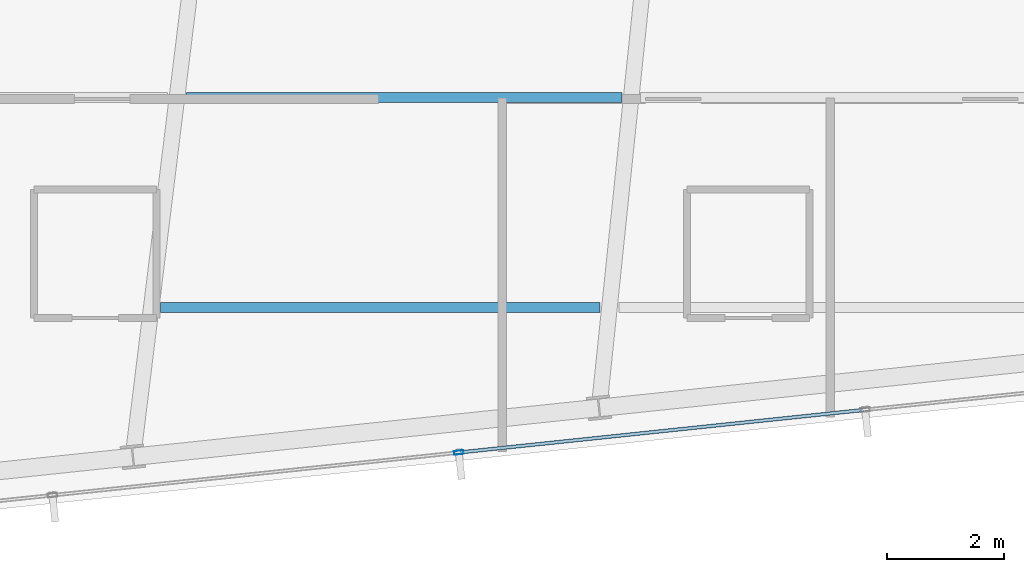
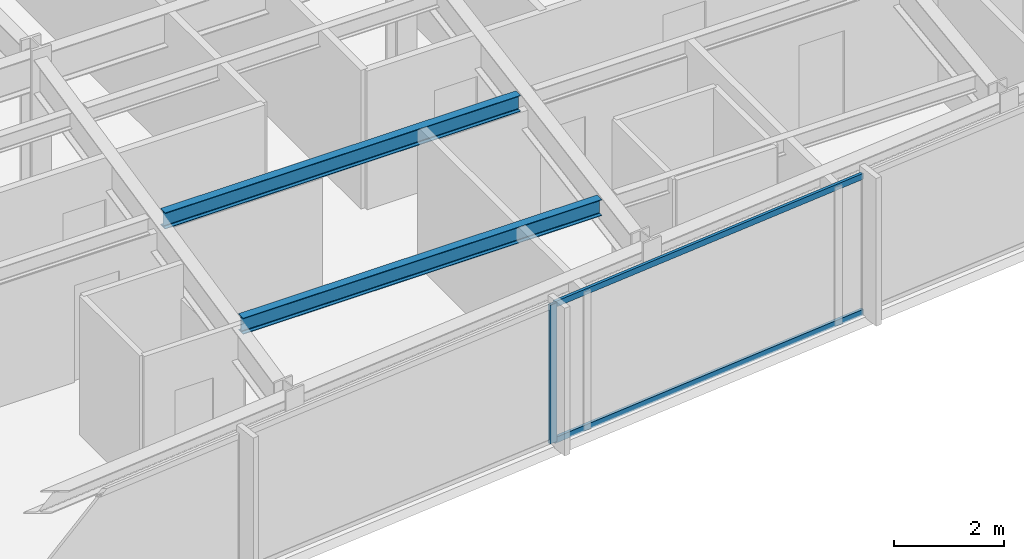
# One storey, part 7 of 32: 3 members, 2 beams, 1 element without a shape of its own.
"""IFC4 building model written with IfcOpenShell, lengths in metres."""

from ifc_helpers import new_model, si_unit, direction, frame, origin, origin_2d, place, context, subcontext, project, spatial, hollow_rectangle, i_section, extrude, material, material_profile, profile_set, type_object, element, aggregate, save


model = new_model("IFC4")

# Units and contexts
model_context = context("Model", 3, precision=1e-05, world=origin(), true_north=direction((0.0, 1.0)))
body_context = subcontext(model_context, "Body", "Model", "MODEL_VIEW")
ifc_project = project(units=[si_unit("LENGTHUNIT", "METRE"), si_unit("AREAUNIT", "SQUARE_METRE"), si_unit("VOLUMEUNIT", "CUBIC_METRE"), si_unit("PLANEANGLEUNIT", "RADIAN"), si_unit("MASSUNIT", "GRAM", prefix="KILO")], contexts=[model_context])

# Site, building, storey
site_placement = place(None, origin())
site = spatial("IfcSite", under=ifc_project, at=site_placement, CompositionType="ELEMENT")
building_placement = place(site_placement, origin())
building = spatial("IfcBuilding", under=site, at=building_placement, Name="Yelkora Congress Tower", CompositionType="ELEMENT")
storey_placement = place(building_placement, frame((0.0, 0.0, 211.10009765625)))
storey = spatial("IfcBuildingStorey", under=building, at=storey_placement, Name="L58", CompositionType="ELEMENT", Elevation=211.10009765625)

# Beams
ifc_material_1 = material(Name="Steel S355J2", Category="steel")
ifc_material_profile_1 = material_profile(ifc_material_1, i_section(OverallWidth=0.169921875, OverallDepth=0.360107421875, WebThickness=0.008056640625, FlangeThickness=0.0126953125, FilletRadius=0.01806640625, at=origin_2d()), Name="IPE 360")
ifc_profile_set_1 = profile_set([ifc_material_profile_1], Name="Steel S355J2")
beam_type = type_object("IfcBeamType", Name="BM-JOIST-IPE360", PredefinedType="JOIST", material=ifc_profile_set_1)
beam_1_placement = place(storey_placement, frame((29.76220703125, 16.07861328125, 2.89990234375), z_axis=(1.0, 0.0, 0.0), x_axis=(0.0, 1.0, 0.0)))
element("IfcBeam", 1, at=beam_1_placement, inside=storey, type_object=beam_type, Name="L58 Composite Floor Joist 1", PredefinedType="JOIST", context=body_context, shape_type="SweptSolid", body=[
    extrude(i_section(OverallWidth=0.169921875, OverallDepth=0.360107421875, WebThickness=0.008056640625, FlangeThickness=0.0126953125, FilletRadius=0.01806640625, at=origin_2d()), origin(), (0.0, 0.0, 1.0), 7.53369140625),
])
beam_2_placement = place(storey_placement, frame((30.203369140625, 19.678466796875, 2.89990234375), z_axis=(1.0, 0.0, 0.0), x_axis=(0.0, 1.0, 0.0)))
element("IfcBeam", 2, at=beam_2_placement, inside=storey, type_object=beam_type, Name="L58 Composite Floor Joist 4", PredefinedType="JOIST", context=body_context, shape_type="SweptSolid", body=[
    extrude(i_section(OverallWidth=0.169921875, OverallDepth=0.360107421875, WebThickness=0.008056640625, FlangeThickness=0.0126953125, FilletRadius=0.01806640625, at=origin_2d()), origin(), (0.0, 0.0, 1.0), 7.465087890625),
])

# Curtain wall, members
ifc_material_2 = material(Name="Anodised aluminium and insulated glass", Category="aluminium")
curtain_wall_type = type_object("IfcCurtainWallType", Name="CW-SYS-B4", PredefinedType="NOTDEFINED", material=ifc_material_2)
curtain_wall_placement = place(storey_placement, origin())
curtain_wall = element("IfcCurtainWall", 3, at=curtain_wall_placement, inside=storey, type_object=curtain_wall_type, Name="L58 Unitised Curtain Wall 20", PredefinedType="NOTDEFINED")
ifc_material_3 = material(Name="Anodised aluminium 6063-T6", Category="aluminium")
ifc_material_profile_2 = material_profile(ifc_material_3, hollow_rectangle(XDim=0.06494140625, YDim=0.159912109375, WallThickness=0.00390625, at=origin_2d()), Name="ALU 65x160x4")
ifc_profile_set_2 = profile_set([ifc_material_profile_2], Name="Anodised aluminium 6063-T6")
member_type_1 = type_object("IfcMemberType", Name="MEM-ML-B4", PredefinedType="MULLION", material=ifc_profile_set_2)
member_1_placement = place(storey_placement, frame((34.87353515625, 13.592529296875, 0.0), z_axis=(0.0, 0.0, 1.0), x_axis=(0.104526664994, -0.994522084373, 0.0)))
member_1 = element("IfcMember", 4, at=member_1_placement, type_object=member_type_1, Name="CW-B4 mullion 6", PredefinedType="MULLION", context=body_context, shape_type="SweptSolid", body=[
    extrude(hollow_rectangle(XDim=0.06494140625, YDim=0.159912109375, WallThickness=0.00390625, at=origin_2d()), origin(), (0.0, 0.0, 1.0), 3.079833984375),
])
ifc_material_profile_3 = material_profile(ifc_material_3, hollow_rectangle(XDim=0.06005859375, YDim=0.1298828125, WallThickness=0.00390625, at=origin_2d()), Name="ALU 60x130x4")
ifc_profile_set_3 = profile_set([ifc_material_profile_3], Name="Anodised aluminium 6063-T6")
member_type_2 = type_object("IfcMemberType", Name="MEM-TR-B4", PredefinedType="USERDEFINED", material=ifc_profile_set_3)
member_2_placement = place(storey_placement, frame((41.8056640625, 14.321044921875, 0.02978515625), z_axis=(-0.99452317859, -0.104516253509, 0.0), x_axis=(0.104516253509, -0.99452317859, 0.0)))
member_2 = element("IfcMember", 5, at=member_2_placement, type_object=member_type_2, Name="CW-B4 transom 5.1", ObjectType="TRANSOM", PredefinedType="USERDEFINED", context=body_context, shape_type="SweptSolid", body=[
    extrude(hollow_rectangle(XDim=0.06005859375, YDim=0.1298828125, WallThickness=0.00390625, at=origin_2d()), origin(), (0.0, 0.0, 1.0), 6.937744140625),
])
member_3_placement = place(storey_placement, frame((41.8056640625, 14.321044921875, 3.0498046875), z_axis=(-0.99452317859, -0.104516253509, 0.0), x_axis=(0.104516253509, -0.99452317859, 0.0)))
member_3 = element("IfcMember", 6, at=member_3_placement, type_object=member_type_2, Name="CW-B4 transom 5.2", ObjectType="TRANSOM", PredefinedType="USERDEFINED", context=body_context, shape_type="SweptSolid", body=[
    extrude(hollow_rectangle(XDim=0.06005859375, YDim=0.1298828125, WallThickness=0.00390625, at=origin_2d()), origin(), (0.0, 0.0, 1.0), 6.937744140625),
])
aggregate(curtain_wall, [member_1, member_2, member_3])

save(model, "model.ifc")
